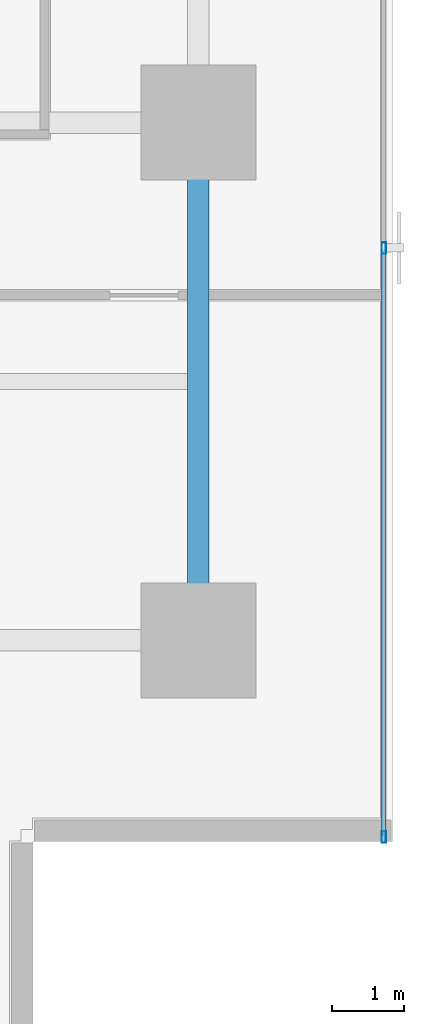
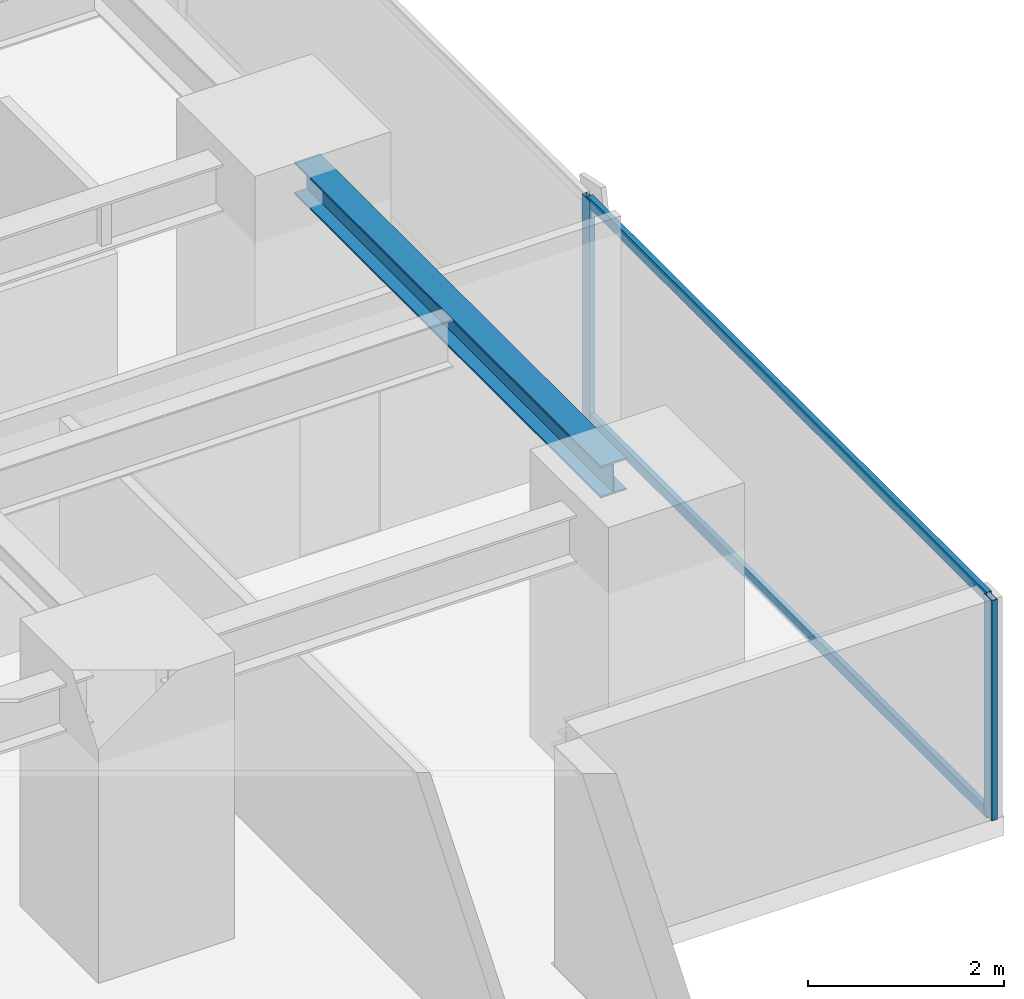
# One storey, part 14 of 36: 4 members, 1 beam, 1 element without a shape of its own.
"""IFC4 building model written with IfcOpenShell, lengths in metres."""

from ifc_helpers import new_model, si_unit, direction, frame, origin, origin_2d, place, context, subcontext, project, spatial, hollow_rectangle, i_section, extrude, source, transform, mapped, material, layer, layer_set, material_profile, profile_set, type_object, element, aggregate, save


model = new_model("IFC4")

# Units and contexts
model_context = context("Model", 3, precision=1e-05, world=origin(), true_north=direction((0.0, 1.0)))
body_context = subcontext(model_context, "Body", "Model", "MODEL_VIEW")
ifc_project = project(units=[si_unit("LENGTHUNIT", "METRE"), si_unit("AREAUNIT", "SQUARE_METRE"), si_unit("VOLUMEUNIT", "CUBIC_METRE"), si_unit("PLANEANGLEUNIT", "RADIAN"), si_unit("MASSUNIT", "GRAM", prefix="KILO")], contexts=[model_context])

# Site, building, storey
site_placement = place(None, origin())
site = spatial("IfcSite", under=ifc_project, at=site_placement, CompositionType="ELEMENT")
building_placement = place(site_placement, origin())
building = spatial("IfcBuilding", under=site, at=building_placement, Name="Sumidabori Civic Tower", CompositionType="ELEMENT")
storey_placement = place(building_placement, frame((0.0, 0.0, 84.800048828125)))
storey = spatial("IfcBuildingStorey", under=building, at=storey_placement, Name="L21", CompositionType="ELEMENT", Elevation=84.800048828125)

# Beam
ifc_material_1 = material(Name="Steel SN490", Category="steel")
ifc_material_profile_1 = material_profile(ifc_material_1, i_section(OverallWidth=0.300048828125, OverallDepth=0.39990234375, WebThickness=0.013427734375, FlangeThickness=0.02392578125, at=origin_2d()), Name="HE 400 B")
ifc_profile_set_1 = profile_set([ifc_material_profile_1], Name="Steel SN490")
beam_type = type_object("IfcBeamType", Name="BM-GIRD-400", PredefinedType="BEAM", material=ifc_profile_set_1)
shared_shape_1 = source(origin(), body_context, "Body", "SweptSolid", [
    extrude(i_section(OverallWidth=0.300048828125, OverallDepth=0.39990234375, WebThickness=0.013427734375, FlangeThickness=0.02392578125, at=origin_2d()), origin(), (0.0, 0.0, 1.0), 6.239990234375),
])
beam_placement = place(storey_placement, frame((22.800048828125, -17.52001953125, 3.159912109375), z_axis=(0.0, 1.0, 0.0), x_axis=(-1.0, 0.0, 0.0)))
element("IfcBeam", 1, at=beam_placement, inside=storey, type_object=beam_type, Name="Primary Girder L21 GY-39", PredefinedType="BEAM", context=body_context, shape_type="MappedRepresentation", body=[
    mapped(shared_shape_1, transform((0.0, 0.0, 0.0), x_axis=(1.0, 0.0, 0.0), y_axis=(0.0, 1.0, 0.0), z_axis=(0.0, 0.0, 1.0), scale=1.0)),
])

# Curtain wall, members
ifc_material_2 = material(Name="Anodised Bronze Aluminium AW-6063-T6", Category="aluminium")
ifc_layer = layer(ifc_material_2, 0.179931640625, Name="Anodised Bronze Aluminium AW-6063-T6")
ifc_layer_set = layer_set([ifc_layer], Name="Anodised Bronze Aluminium AW-6063-T6")
curtain_wall_type = type_object("IfcCurtainWallType", Name="CW-SYS-3", PredefinedType="NOTDEFINED", material=ifc_layer_set)
curtain_wall_placement = place(storey_placement, origin())
curtain_wall = element("IfcCurtainWall", 2, at=curtain_wall_placement, inside=storey, type_object=curtain_wall_type, Name="Curtain Wall CW:L21:R04", PredefinedType="NOTDEFINED")
ifc_material_profile_2 = material_profile(ifc_material_2, hollow_rectangle(XDim=0.06494140625, YDim=0.159912109375, WallThickness=0.0048828125, at=origin_2d()), Name="ALU MULLION 160x65")
ifc_profile_set_2 = profile_set([ifc_material_profile_2], Name="Anodised Bronze Aluminium AW-6063-T6")
member_type_1 = type_object("IfcMemberType", Name="CW-MUL-160", PredefinedType="MULLION", material=ifc_profile_set_2)
shared_shape_2 = source(origin(), body_context, "Body", "SweptSolid", [
    extrude(hollow_rectangle(XDim=0.06494140625, YDim=0.159912109375, WallThickness=0.0048828125, at=origin_2d()), origin(), (0.0, 0.0, 1.0), 2.739990234375),
])
member_1_placement = place(storey_placement, frame((25.3798828125, -20.737548828125, 0.0), z_axis=(0.0, 0.0, 1.0), x_axis=(-1.0, 0.0, 0.0)))
member_1 = element("IfcMember", 3, at=member_1_placement, type_object=member_type_1, Name="CW-3 mullion 1", PredefinedType="MULLION", context=body_context, shape_type="MappedRepresentation", body=[
    mapped(shared_shape_2, transform((0.0, 0.0, 0.0), x_axis=(1.0, 0.0, 0.0), y_axis=(0.0, 1.0, 0.0), z_axis=(0.0, 0.0, 1.0), scale=1.0)),
])
member_2_placement = place(storey_placement, frame((25.3798828125, -12.5419921875, 0.0), z_axis=(0.0, 0.0, 1.0), x_axis=(-1.0, 0.0, 0.0)))
member_2 = element("IfcMember", 4, at=member_2_placement, type_object=member_type_1, Name="CW-3 mullion 2", PredefinedType="MULLION", context=body_context, shape_type="MappedRepresentation", body=[
    mapped(shared_shape_2, transform((0.0, 0.0, 0.0), x_axis=(1.0, 0.0, 0.0), y_axis=(0.0, 1.0, 0.0), z_axis=(0.0, 0.0, 1.0), scale=1.0)),
])
ifc_material_profile_3 = material_profile(ifc_material_2, hollow_rectangle(XDim=0.06005859375, YDim=0.1298828125, WallThickness=0.0048828125, at=origin_2d()), Name="ALU TRANSOM 130x60")
ifc_profile_set_3 = profile_set([ifc_material_profile_3], Name="Anodised Bronze Aluminium AW-6063-T6")
member_type_2 = type_object("IfcMemberType", Name="CW-TRN-130", PredefinedType="USERDEFINED", material=ifc_profile_set_3)
shared_shape_3 = source(origin(), body_context, "Body", "SweptSolid", [
    extrude(hollow_rectangle(XDim=0.06005859375, YDim=0.1298828125, WallThickness=0.0048828125, at=origin_2d()), origin(), (0.0, 0.0, 1.0), 8.130615234375),
])
member_3_placement = place(storey_placement, frame((25.3798828125, -20.705078125, 0.030029296875), z_axis=(0.0, 1.0, 0.0), x_axis=(-1.0, 0.0, 0.0)))
member_3 = element("IfcMember", 5, at=member_3_placement, type_object=member_type_2, Name="CW-3 transom 1.1", ObjectType="TRANSOM", PredefinedType="USERDEFINED", context=body_context, shape_type="MappedRepresentation", body=[
    mapped(shared_shape_3, transform((0.0, 0.0, 0.0), x_axis=(1.0, 0.0, 0.0), y_axis=(0.0, 1.0, 0.0), z_axis=(0.0, 0.0, 1.0), scale=1.0)),
])
member_4_placement = place(storey_placement, frame((25.3798828125, -20.705078125, 2.7099609375), z_axis=(0.0, 1.0, 0.0), x_axis=(-1.0, 0.0, 0.0)))
member_4 = element("IfcMember", 6, at=member_4_placement, type_object=member_type_2, Name="CW-3 transom 1.2", ObjectType="TRANSOM", PredefinedType="USERDEFINED", context=body_context, shape_type="MappedRepresentation", body=[
    mapped(shared_shape_3, transform((0.0, 0.0, 0.0), x_axis=(1.0, 0.0, 0.0), y_axis=(0.0, 1.0, 0.0), z_axis=(0.0, 0.0, 1.0), scale=1.0)),
])
aggregate(curtain_wall, [member_1, member_2, member_3, member_4])

save(model, "model.ifc")
